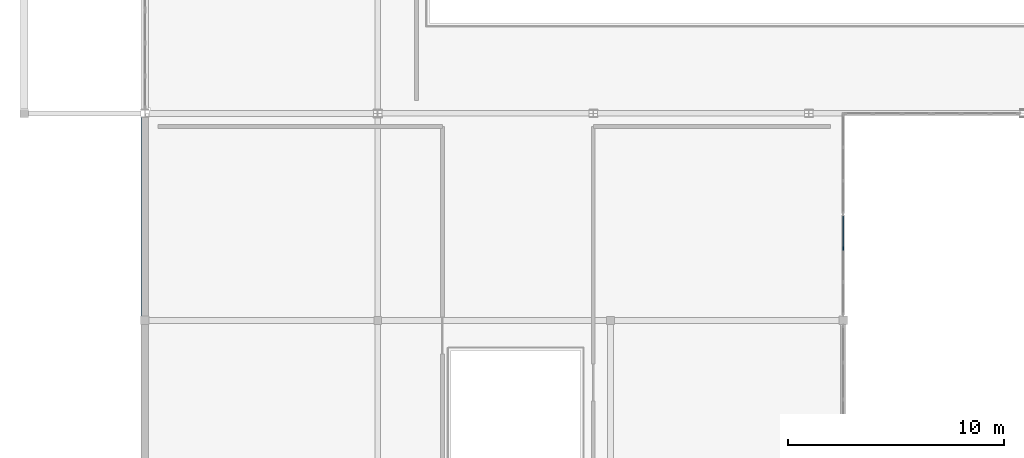
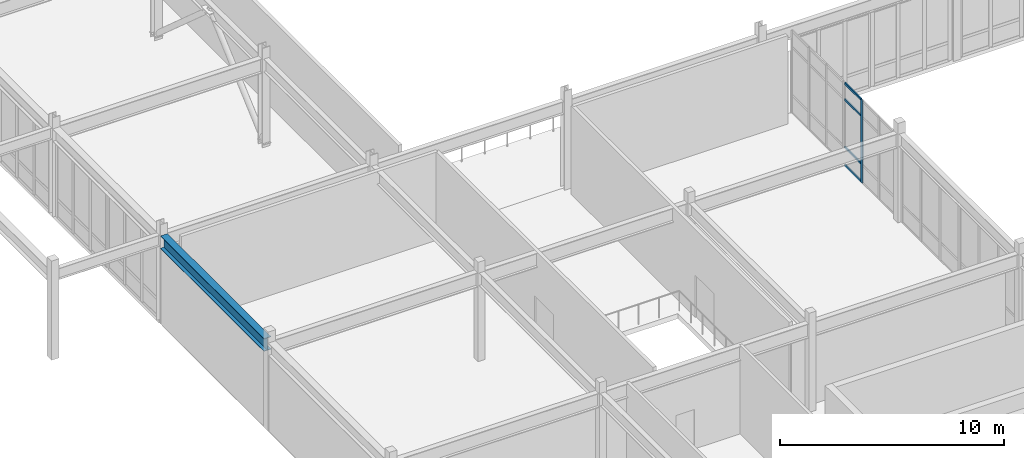
# One storey, part 11 of 68: 5 members, 1 beam, 1 element without a shape of its own.
"""IFC4 building model written with IfcOpenShell, lengths in metres."""

from ifc_helpers import new_model, si_unit, direction, frame, origin, origin_2d, place, context, subcontext, project, spatial, rectangle, i_section, extrude, material, material_profile, profile_set, type_object, element, aggregate, save


model = new_model("IFC4")

# Units and contexts
model_context = context("Model", 3, precision=1e-05, world=origin(), true_north=direction((0.0, 1.0)))
body_context = subcontext(model_context, "Body", "Model", "MODEL_VIEW")
ifc_project = project(units=[si_unit("LENGTHUNIT", "METRE"), si_unit("AREAUNIT", "SQUARE_METRE"), si_unit("VOLUMEUNIT", "CUBIC_METRE"), si_unit("PLANEANGLEUNIT", "RADIAN"), si_unit("MASSUNIT", "GRAM", prefix="KILO")], contexts=[model_context])

# Site, building, storey
site_placement = place(None, origin())
site = spatial("IfcSite", under=ifc_project, at=site_placement, CompositionType="ELEMENT")
building_placement = place(site_placement, origin())
building = spatial("IfcBuilding", under=site, at=building_placement, Name="Veldera Park Congress Hotel", CompositionType="ELEMENT")
storey_placement = place(building_placement, frame((0.0, 0.0, 10.800048828125)))
storey = spatial("IfcBuildingStorey", under=building, at=storey_placement, Name="L02", CompositionType="ELEMENT", Elevation=10.800048828125)

# Beam
ifc_material_1 = material(Name="Steel ASTM A992 Gr.50", Category="steel")
ifc_material_profile_1 = material_profile(ifc_material_1, i_section(OverallWidth=0.35498046875, OverallDepth=0.696044921875, WebThickness=0.015380859375, FlangeThickness=0.02490234375, at=origin_2d()), Name="W27X146")
ifc_profile_set_1 = profile_set([ifc_material_profile_1], Name="Steel ASTM A992 Gr.50")
beam_type = type_object("IfcBeamType", Name="BM-W27E", PredefinedType="BEAM", material=ifc_profile_set_1)
beam_placement = place(storey_placement, frame((-78.199951171875, -30.405029296875, 4.451904296875), z_axis=(0.0, 1.0, 0.0), x_axis=(-1.0, 0.0, 0.0)))
element("IfcBeam", 1, at=beam_placement, inside=storey, type_object=beam_type, Name="L02 Girder BM-W27E 933", PredefinedType="BEAM", context=body_context, shape_type="SweptSolid", body=[
    extrude(i_section(OverallWidth=0.35498046875, OverallDepth=0.696044921875, WebThickness=0.015380859375, FlangeThickness=0.02490234375, at=origin_2d()), origin(), (0.0, 0.0, 1.0), 9.220947265625),
])

# Curtain wall, members
ifc_material_2 = material(Name="Low-E Triple Insulating Glass Unit (SHGC 0.22)", Category="glass")
curtain_wall_type = type_object("IfcCurtainWallType", Name="CW-SPA", PredefinedType="NOTDEFINED", material=ifc_material_2)
curtain_wall_placement = place(storey_placement, origin())
curtain_wall = element("IfcCurtainWall", 2, at=curtain_wall_placement, inside=storey, type_object=curtain_wall_type, Name="L02 Curtain Wall CW3-V3E-L02-077", PredefinedType="NOTDEFINED")
ifc_material_3 = material(Name="Anodised Aluminium Alloy 6063-T6", Category="aluminium")
ifc_material_profile_2 = material_profile(ifc_material_3, rectangle(XDim=0.06005859375, YDim=0.159912109375, at=origin_2d()), Name="ALU 60x160")
ifc_profile_set_2 = profile_set([ifc_material_profile_2], Name="Anodised Aluminium Alloy 6063-T6")
member_type_1 = type_object("IfcMemberType", Name="CWM-160", PredefinedType="MULLION", material=ifc_profile_set_2)
member_1_placement = place(storey_placement, frame((-45.800048828125, -27.25830078125, 0.0), z_axis=(0.0, 0.0, 1.0), x_axis=(-1.0, 0.0, 0.0)))
member_1 = element("IfcMember", 3, at=member_1_placement, type_object=member_type_1, Name="CW-SPA mullion 3", PredefinedType="MULLION", context=body_context, shape_type="SweptSolid", body=[
    extrude(rectangle(XDim=0.06005859375, YDim=0.159912109375, at=origin_2d()), origin(), (0.0, 0.0, 1.0), 4.5),
])
ifc_material_profile_3 = material_profile(ifc_material_3, rectangle(XDim=0.06005859375, YDim=0.1201171875, at=origin_2d()), Name="ALU 60x120")
ifc_profile_set_3 = profile_set([ifc_material_profile_3], Name="Anodised Aluminium Alloy 6063-T6")
member_type_2 = type_object("IfcMemberType", Name="CWT-120", PredefinedType="USERDEFINED", material=ifc_profile_set_3)
member_2_placement = place(storey_placement, frame((-45.800048828125, -27.228271484375, 0.030029296875), z_axis=(0.0, 1.0, 0.0), x_axis=(-1.0, 0.0, 0.0)))
member_2 = element("IfcMember", 4, at=member_2_placement, type_object=member_type_2, Name="CW-SPA transom 3.1", ObjectType="TRANSOM", PredefinedType="USERDEFINED", context=body_context, shape_type="SweptSolid", body=[
    extrude(rectangle(XDim=0.06005859375, YDim=0.1201171875, at=origin_2d()), origin(), (0.0, 0.0, 1.0), 1.46337890625),
])
member_3_placement = place(storey_placement, frame((-45.800048828125, -27.228271484375, 1.0), z_axis=(0.0, 1.0, 0.0), x_axis=(-1.0, 0.0, 0.0)))
member_3 = element("IfcMember", 5, at=member_3_placement, type_object=member_type_2, Name="CW-SPA transom 3.2", ObjectType="TRANSOM", PredefinedType="USERDEFINED", context=body_context, shape_type="SweptSolid", body=[
    extrude(rectangle(XDim=0.06005859375, YDim=0.1201171875, at=origin_2d()), origin(), (0.0, 0.0, 1.0), 1.46337890625),
])
member_4_placement = place(storey_placement, frame((-45.800048828125, -27.228271484375, 3.599853515625), z_axis=(0.0, 1.0, 0.0), x_axis=(-1.0, 0.0, 0.0)))
member_4 = element("IfcMember", 6, at=member_4_placement, type_object=member_type_2, Name="CW-SPA transom 3.3", ObjectType="TRANSOM", PredefinedType="USERDEFINED", context=body_context, shape_type="SweptSolid", body=[
    extrude(rectangle(XDim=0.06005859375, YDim=0.1201171875, at=origin_2d()), origin(), (0.0, 0.0, 1.0), 1.46337890625),
])
member_5_placement = place(storey_placement, frame((-45.800048828125, -27.228271484375, 4.469970703125), z_axis=(0.0, 1.0, 0.0), x_axis=(-1.0, 0.0, 0.0)))
member_5 = element("IfcMember", 7, at=member_5_placement, type_object=member_type_2, Name="CW-SPA transom 3.4", ObjectType="TRANSOM", PredefinedType="USERDEFINED", context=body_context, shape_type="SweptSolid", body=[
    extrude(rectangle(XDim=0.06005859375, YDim=0.1201171875, at=origin_2d()), origin(), (0.0, 0.0, 1.0), 1.46337890625),
])
aggregate(curtain_wall, [member_1, member_2, member_3, member_4, member_5])

save(model, "model.ifc")
